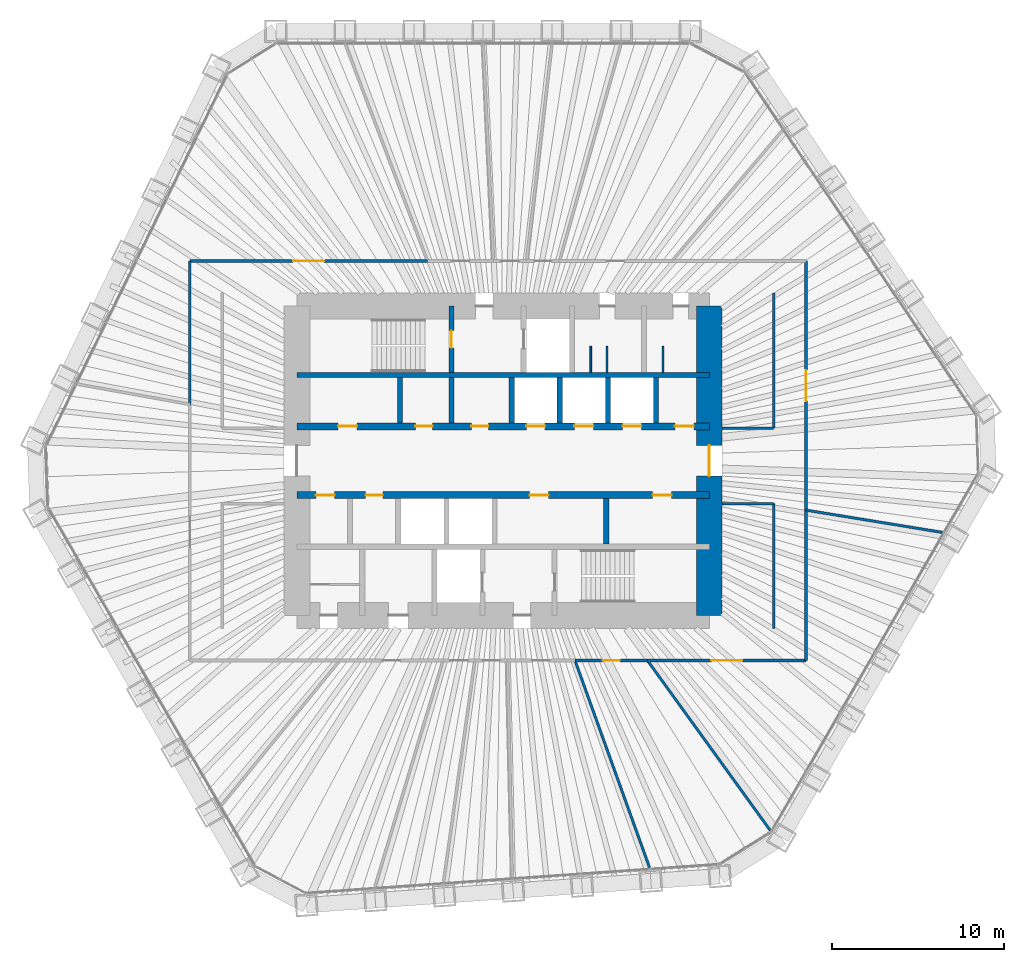
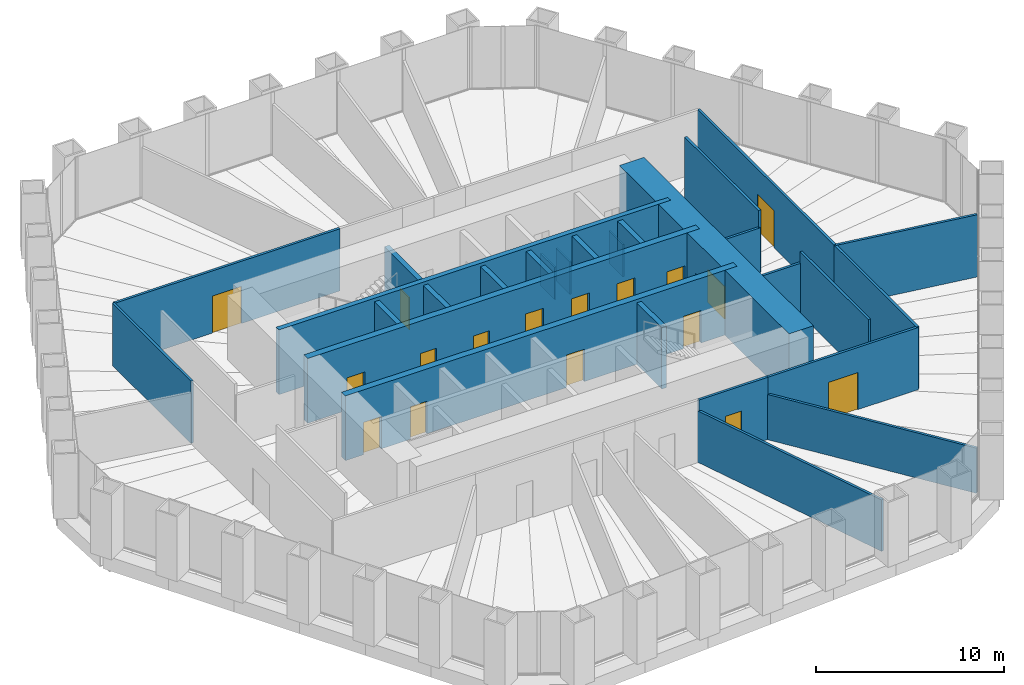
# One storey, part 11 of 13: 28 walls, 17 doors, 17 openings.
"""IFC4 building model written with IfcOpenShell, lengths in metres."""

from ifc_helpers import new_model, si_unit, direction, frame, frame_2d, origin, place, context, subcontext, project, spatial, rectangle, extrude, material, layer, layer_set, type_object, element, fill, save


model = new_model("IFC4")

# Units and contexts
model_context = context("Model", 3, precision=1e-05, world=origin(), true_north=direction((0.0, 1.0)))
body_context = subcontext(model_context, "Body", "Model", "MODEL_VIEW")
ifc_project = project(units=[si_unit("LENGTHUNIT", "METRE"), si_unit("AREAUNIT", "SQUARE_METRE"), si_unit("VOLUMEUNIT", "CUBIC_METRE"), si_unit("PLANEANGLEUNIT", "RADIAN"), si_unit("MASSUNIT", "GRAM", prefix="KILO")], contexts=[model_context])

# Site, building, storey
site_placement = place(None, origin())
site = spatial("IfcSite", under=ifc_project, at=site_placement, CompositionType="ELEMENT")
building_placement = place(site_placement, origin())
building = spatial("IfcBuilding", under=site, at=building_placement, Name="Qingtian Harvest Tower", CompositionType="ELEMENT")
storey_placement = place(building_placement, frame((0.0, 0.0, 111.39990234375)))
storey = spatial("IfcBuildingStorey", under=building, at=storey_placement, Name="L22", CompositionType="ELEMENT", Elevation=111.39990234375)

# Wall
ifc_material_1 = material(Name="Concrete fc' 70 MPa", Category="concrete")
ifc_layer_1 = layer(ifc_material_1, 0.300048828125)
ifc_layer_set_1 = layer_set([ifc_layer_1], Name="Core inner wall RC5 300")
wall_type_1 = type_object("IfcWallType", Name="Core inner wall RC5 300", PredefinedType="SHEAR", material=ifc_layer_set_1)
wall_1_placement = place(storey_placement, frame((-12.0, 5.0, 0.0), z_axis=(0.0, 0.0, 1.0), x_axis=(1.0, 0.0, 0.0)))
element("IfcWall", 1, at=wall_1_placement, inside=storey, type_object=wall_type_1, Name="Core wall IN5 L22", PredefinedType="SHEAR", context=body_context, shape_type="SweptSolid", body=[
    extrude(rectangle(XDim=24.0, YDim=0.300048828125, at=frame_2d((12.0, 0.0))), origin(), (0.0, 0.0, 1.0), 4.2001953125),
])

# Wall, openings, doors
ifc_material_2 = material(Name="Concrete fc' 70 MPa", Category="concrete")
ifc_layer_2 = layer(ifc_material_2, 0.39990234375)
ifc_layer_set_2 = layer_set([ifc_layer_2], Name="Core inner web RC6 400")
wall_type_2 = type_object("IfcWallType", Name="Core inner web RC6 400", PredefinedType="SHEAR", material=ifc_layer_set_2)
wall_2_placement = place(storey_placement, frame((-12.0, 2.0, 0.0), z_axis=(0.0, 0.0, 1.0), x_axis=(1.0, 0.0, 0.0)))
wall_2 = element("IfcWall", 2, at=wall_2_placement, inside=storey, type_object=wall_type_2, Name="Core wall IN2 L22", PredefinedType="SHEAR", context=body_context, shape_type="SweptSolid", body=[
    extrude(rectangle(XDim=24.0, YDim=0.39990234375, at=frame_2d((12.0, 0.0))), origin(), (0.0, 0.0, 1.0), 4.2001953125),
])
opening_1_placement = place(wall_2_placement, frame((2.39990234375, 0.0, 0.0)))
opening_1 = element("IfcOpeningElement", 3, at=opening_1_placement, cuts=wall_2, Name="Opening FD4", PredefinedType="OPENING", context=body_context, shape_type="SweptSolid", body=[
    extrude(rectangle(XDim=1.10009765625, YDim=2.10009765625, at=frame_2d((0.550048828125, 1.050048828125))), frame((0.0, 0.2099609375, 0.0), z_axis=(0.0, -1.0, 0.0), x_axis=(1.0, 0.0, 0.0)), (0.0, 0.0, 1.0), 0.419921875),
])
opening_2_placement = place(wall_2_placement, frame((22.0, 0.0, 0.0)))
opening_2 = element("IfcOpeningElement", 4, at=opening_2_placement, cuts=wall_2, Name="Opening FD4", PredefinedType="OPENING", context=body_context, shape_type="SweptSolid", body=[
    extrude(rectangle(XDim=1.10009765625, YDim=2.10009765625, at=frame_2d((0.550048828125, 1.050048828125))), frame((0.0, 0.2099609375, 0.0), z_axis=(0.0, -1.0, 0.0), x_axis=(1.0, 0.0, 0.0)), (0.0, 0.0, 1.0), 0.419921875),
])
opening_3_placement = place(wall_2_placement, frame((10.14990234375, 0.0, 0.0)))
opening_3 = element("IfcOpeningElement", 5, at=opening_3_placement, cuts=wall_2, Name="Opening FD1", PredefinedType="OPENING", context=body_context, shape_type="SweptSolid", body=[
    extrude(rectangle(XDim=1.0, YDim=2.10009765625, at=frame_2d((0.5, 1.050048828125))), frame((0.0, 0.2099609375, 0.0), z_axis=(0.0, -1.0, 0.0), x_axis=(1.0, 0.0, 0.0)), (0.0, 0.0, 1.0), 0.419921875),
])
opening_4_placement = place(wall_2_placement, frame((6.89990234375, 0.0, 0.0)))
opening_4 = element("IfcOpeningElement", 6, at=opening_4_placement, cuts=wall_2, Name="Opening FD1", PredefinedType="OPENING", context=body_context, shape_type="SweptSolid", body=[
    extrude(rectangle(XDim=1.0, YDim=2.10009765625, at=frame_2d((0.5, 1.050048828125))), frame((0.0, 0.2099609375, 0.0), z_axis=(0.0, -1.0, 0.0), x_axis=(1.0, 0.0, 0.0)), (0.0, 0.0, 1.0), 0.419921875),
])
opening_5_placement = place(wall_2_placement, frame((13.35009765625, 0.0, 0.0)))
opening_5 = element("IfcOpeningElement", 7, at=opening_5_placement, cuts=wall_2, Name="Opening LD1", PredefinedType="OPENING", context=body_context, shape_type="SweptSolid", body=[
    extrude(rectangle(XDim=1.10009765625, YDim=2.39990234375, at=frame_2d((0.550048828125, 1.199951171875))), frame((0.0, 0.2099609375, 0.0), z_axis=(0.0, -1.0, 0.0), x_axis=(1.0, 0.0, 0.0)), (0.0, 0.0, 1.0), 0.419921875),
])
opening_6_placement = place(wall_2_placement, frame((16.14990234375, 0.0, 0.0)))
opening_6 = element("IfcOpeningElement", 8, at=opening_6_placement, cuts=wall_2, Name="Opening LD1", PredefinedType="OPENING", context=body_context, shape_type="SweptSolid", body=[
    extrude(rectangle(XDim=1.10009765625, YDim=2.39990234375, at=frame_2d((0.550048828125, 1.199951171875))), frame((0.0, 0.2099609375, 0.0), z_axis=(0.0, -1.0, 0.0), x_axis=(1.0, 0.0, 0.0)), (0.0, 0.0, 1.0), 0.419921875),
])
opening_7_placement = place(wall_2_placement, frame((18.949951171875, 0.0, 0.0)))
opening_7 = element("IfcOpeningElement", 9, at=opening_7_placement, cuts=wall_2, Name="Opening LD1", PredefinedType="OPENING", context=body_context, shape_type="SweptSolid", body=[
    extrude(rectangle(XDim=1.10009765625, YDim=2.39990234375, at=frame_2d((0.550048828125, 1.199951171875))), frame((0.0, 0.2099609375, 0.0), z_axis=(0.0, -1.0, 0.0), x_axis=(1.0, 0.0, 0.0)), (0.0, 0.0, 1.0), 0.419921875),
])
ifc_material_3 = material(Name="Steel-faced door leaf", Category="steel")
door_type_1 = type_object("IfcDoorType", Name="Fire door FD1 single 1 HR", OperationType="SINGLE_SWING_LEFT", PredefinedType="DOOR", material=ifc_material_3)
door_1_placement = place(opening_3_placement, origin())
door_1 = element("IfcDoor", 10, at=door_1_placement, inside=storey, type_object=door_type_1, Name="STA door L22", OperationType="SINGLE_SWING_LEFT", OverallHeight=2.10009765625, OverallWidth=1.0, PredefinedType="DOOR", context=body_context, shape_type="SweptSolid", body=[
    extrude(rectangle(XDim=1.0, YDim=2.10009765625, at=frame_2d((0.5, 1.050048828125))), frame((0.0, 0.02490234375, 0.0), z_axis=(0.0, -1.0, 0.0), x_axis=(1.0, 0.0, 0.0)), (0.0, 0.0, 1.0), 0.050048828125),
])
fill(opening_3, door_1)
door_2_placement = place(opening_4_placement, origin())
door_2 = element("IfcDoor", 11, at=door_2_placement, inside=storey, type_object=door_type_1, Name="Store door L22", OperationType="SINGLE_SWING_LEFT", OverallHeight=2.10009765625, OverallWidth=1.0, PredefinedType="DOOR", context=body_context, shape_type="SweptSolid", body=[
    extrude(rectangle(XDim=1.0, YDim=2.10009765625, at=frame_2d((0.5, 1.050048828125))), frame((0.0, 0.02490234375, 0.0), z_axis=(0.0, -1.0, 0.0), x_axis=(1.0, 0.0, 0.0)), (0.0, 0.0, 1.0), 0.050048828125),
])
fill(opening_4, door_2)
ifc_material_4 = material(Name="Steel-faced door leaf", Category="steel")
door_type_2 = type_object("IfcDoorType", Name="Fire door FD4 single 2 HR", OperationType="SINGLE_SWING_LEFT", PredefinedType="DOOR", material=ifc_material_4)
door_3_placement = place(opening_1_placement, origin())
door_3 = element("IfcDoor", 12, at=door_3_placement, inside=storey, type_object=door_type_2, Name="RA door L22", OperationType="SINGLE_SWING_RIGHT", OverallHeight=2.10009765625, OverallWidth=1.10009765625, PredefinedType="DOOR", context=body_context, shape_type="SweptSolid", body=[
    extrude(rectangle(XDim=1.10009765625, YDim=2.10009765625, at=frame_2d((0.550048828125, 1.050048828125))), frame((0.0, 0.02490234375, 0.0), z_axis=(0.0, -1.0, 0.0), x_axis=(1.0, 0.0, 0.0)), (0.0, 0.0, 1.0), 0.050048828125),
])
fill(opening_1, door_3)
door_4_placement = place(opening_2_placement, origin())
door_4 = element("IfcDoor", 13, at=door_4_placement, inside=storey, type_object=door_type_2, Name="AHU door L22", OperationType="SINGLE_SWING_RIGHT", OverallHeight=2.10009765625, OverallWidth=1.10009765625, PredefinedType="DOOR", context=body_context, shape_type="SweptSolid", body=[
    extrude(rectangle(XDim=1.10009765625, YDim=2.10009765625, at=frame_2d((0.550048828125, 1.050048828125))), frame((0.0, 0.02490234375, 0.0), z_axis=(0.0, -1.0, 0.0), x_axis=(1.0, 0.0, 0.0)), (0.0, 0.0, 1.0), 0.050048828125),
])
fill(opening_2, door_4)
ifc_material_5 = material(Name="Stainless steel lift landing door", Category="steel")
door_type_3 = type_object("IfcDoorType", Name="Lift landing door LD1 1 HR", OperationType="DOUBLE_DOOR_SLIDING", PredefinedType="DOOR", material=ifc_material_5)
door_5_placement = place(opening_5_placement, origin())
door_5 = element("IfcDoor", 14, at=door_5_placement, inside=storey, type_object=door_type_3, Name="PLB1 landing door L22", OperationType="DOUBLE_DOOR_SLIDING", OverallHeight=2.39990234375, OverallWidth=1.10009765625, PredefinedType="DOOR", context=body_context, shape_type="SweptSolid", body=[
    extrude(rectangle(XDim=1.10009765625, YDim=2.39990234375, at=frame_2d((0.550048828125, 1.199951171875))), frame((0.0, 0.02490234375, 0.0), z_axis=(0.0, -1.0, 0.0), x_axis=(1.0, 0.0, 0.0)), (0.0, 0.0, 1.0), 0.050048828125),
])
fill(opening_5, door_5)
door_6_placement = place(opening_6_placement, origin())
door_6 = element("IfcDoor", 15, at=door_6_placement, inside=storey, type_object=door_type_3, Name="PLB2 landing door L22", OperationType="DOUBLE_DOOR_SLIDING", OverallHeight=2.39990234375, OverallWidth=1.10009765625, PredefinedType="DOOR", context=body_context, shape_type="SweptSolid", body=[
    extrude(rectangle(XDim=1.10009765625, YDim=2.39990234375, at=frame_2d((0.550048828125, 1.199951171875))), frame((0.0, 0.02490234375, 0.0), z_axis=(0.0, -1.0, 0.0), x_axis=(1.0, 0.0, 0.0)), (0.0, 0.0, 1.0), 0.050048828125),
])
fill(opening_6, door_6)
door_7_placement = place(opening_7_placement, origin())
door_7 = element("IfcDoor", 16, at=door_7_placement, inside=storey, type_object=door_type_3, Name="PLB3 landing door L22", OperationType="DOUBLE_DOOR_SLIDING", OverallHeight=2.39990234375, OverallWidth=1.10009765625, PredefinedType="DOOR", context=body_context, shape_type="SweptSolid", body=[
    extrude(rectangle(XDim=1.10009765625, YDim=2.39990234375, at=frame_2d((0.550048828125, 1.199951171875))), frame((0.0, 0.02490234375, 0.0), z_axis=(0.0, -1.0, 0.0), x_axis=(1.0, 0.0, 0.0)), (0.0, 0.0, 1.0), 0.050048828125),
])
fill(opening_7, door_7)

wall_3_placement = place(storey_placement, frame((-12.0, -2.0, 0.0), z_axis=(0.0, 0.0, 1.0), x_axis=(1.0, 0.0, 0.0)))
wall_3 = element("IfcWall", 17, at=wall_3_placement, inside=storey, type_object=wall_type_2, Name="Core wall IS2 L22", PredefinedType="SHEAR", context=body_context, shape_type="SweptSolid", body=[
    extrude(rectangle(XDim=24.0, YDim=0.39990234375, at=frame_2d((12.0, 0.0))), origin(), (0.0, 0.0, 1.0), 4.2001953125),
])
opening_8_placement = place(wall_3_placement, frame((1.10009765625, 0.0, 0.0)))
opening_8 = element("IfcOpeningElement", 18, at=opening_8_placement, cuts=wall_3, Name="Opening FD4", PredefinedType="OPENING", context=body_context, shape_type="SweptSolid", body=[
    extrude(rectangle(XDim=1.10009765625, YDim=2.10009765625, at=frame_2d((0.550048828125, 1.050048828125))), frame((0.0, 0.2099609375, 0.0), z_axis=(0.0, -1.0, 0.0), x_axis=(1.0, 0.0, 0.0)), (0.0, 0.0, 1.0), 0.419921875),
])
opening_9_placement = place(wall_3_placement, frame((13.550048828125, 0.0, 0.0)))
opening_9 = element("IfcOpeningElement", 19, at=opening_9_placement, cuts=wall_3, Name="Opening FD4", PredefinedType="OPENING", context=body_context, shape_type="SweptSolid", body=[
    extrude(rectangle(XDim=1.10009765625, YDim=2.10009765625, at=frame_2d((0.550048828125, 1.050048828125))), frame((0.0, 0.2099609375, 0.0), z_axis=(0.0, -1.0, 0.0), x_axis=(1.0, 0.0, 0.0)), (0.0, 0.0, 1.0), 0.419921875),
])
opening_10_placement = place(wall_3_placement, frame((20.699951171875, 0.0, 0.0)))
opening_10 = element("IfcOpeningElement", 20, at=opening_10_placement, cuts=wall_3, Name="Opening FD4", PredefinedType="OPENING", context=body_context, shape_type="SweptSolid", body=[
    extrude(rectangle(XDim=1.10009765625, YDim=2.10009765625, at=frame_2d((0.550048828125, 1.050048828125))), frame((0.0, 0.2099609375, 0.0), z_axis=(0.0, -1.0, 0.0), x_axis=(1.0, 0.0, 0.0)), (0.0, 0.0, 1.0), 0.419921875),
])
opening_11_placement = place(wall_3_placement, frame((4.0, 0.0, 0.0)))
opening_11 = element("IfcOpeningElement", 21, at=opening_11_placement, cuts=wall_3, Name="Opening FD1", PredefinedType="OPENING", context=body_context, shape_type="SweptSolid", body=[
    extrude(rectangle(XDim=1.0, YDim=2.10009765625, at=frame_2d((0.5, 1.050048828125))), frame((0.0, 0.2099609375, 0.0), z_axis=(0.0, -1.0, 0.0), x_axis=(1.0, 0.0, 0.0)), (0.0, 0.0, 1.0), 0.419921875),
])
door_8_placement = place(opening_11_placement, origin())
door_8 = element("IfcDoor", 22, at=door_8_placement, inside=storey, type_object=door_type_1, Name="Archive store door L22", OperationType="SINGLE_SWING_LEFT", OverallHeight=2.10009765625, OverallWidth=1.0, PredefinedType="DOOR", context=body_context, shape_type="SweptSolid", body=[
    extrude(rectangle(XDim=1.0, YDim=2.10009765625, at=frame_2d((0.5, 1.050048828125))), frame((0.0, 0.02490234375, 0.0), z_axis=(0.0, -1.0, 0.0), x_axis=(1.0, 0.0, 0.0)), (0.0, 0.0, 1.0), 0.050048828125),
])
fill(opening_11, door_8)
door_9_placement = place(opening_8_placement, origin())
door_9 = element("IfcDoor", 23, at=door_9_placement, inside=storey, type_object=door_type_2, Name="RB door L22", OperationType="SINGLE_SWING_RIGHT", OverallHeight=2.10009765625, OverallWidth=1.10009765625, PredefinedType="DOOR", context=body_context, shape_type="SweptSolid", body=[
    extrude(rectangle(XDim=1.10009765625, YDim=2.10009765625, at=frame_2d((0.550048828125, 1.050048828125))), frame((0.0, 0.02490234375, 0.0), z_axis=(0.0, -1.0, 0.0), x_axis=(1.0, 0.0, 0.0)), (0.0, 0.0, 1.0), 0.050048828125),
])
fill(opening_8, door_9)
door_10_placement = place(opening_9_placement, origin())
door_10 = element("IfcDoor", 24, at=door_10_placement, inside=storey, type_object=door_type_2, Name="ELEC door L22", OperationType="SINGLE_SWING_RIGHT", OverallHeight=2.10009765625, OverallWidth=1.10009765625, PredefinedType="DOOR", context=body_context, shape_type="SweptSolid", body=[
    extrude(rectangle(XDim=1.10009765625, YDim=2.10009765625, at=frame_2d((0.550048828125, 1.050048828125))), frame((0.0, 0.02490234375, 0.0), z_axis=(0.0, -1.0, 0.0), x_axis=(1.0, 0.0, 0.0)), (0.0, 0.0, 1.0), 0.050048828125),
])
fill(opening_9, door_10)
door_11_placement = place(opening_10_placement, origin())
door_11 = element("IfcDoor", 25, at=door_11_placement, inside=storey, type_object=door_type_2, Name="DUCT door L22", OperationType="SINGLE_SWING_LEFT", OverallHeight=2.10009765625, OverallWidth=1.10009765625, PredefinedType="DOOR", context=body_context, shape_type="SweptSolid", body=[
    extrude(rectangle(XDim=1.10009765625, YDim=2.10009765625, at=frame_2d((0.550048828125, 1.050048828125))), frame((0.0, 0.02490234375, 0.0), z_axis=(0.0, -1.0, 0.0), x_axis=(1.0, 0.0, 0.0)), (0.0, 0.0, 1.0), 0.050048828125),
])
fill(opening_10, door_11)

# Wall, opening, door
ifc_material_6 = material(Name="Precast concrete shaft panel", Category="concrete")
ifc_layer_3 = layer(ifc_material_6, 0.300048828125)
ifc_layer_set_3 = layer_set([ifc_layer_3], Name="Core shaft partition SW1 300")
wall_type_3 = type_object("IfcWallType", Name="Core shaft partition SW1 300", PredefinedType="PARTITIONING", material=ifc_layer_set_3)
wall_4_placement = place(storey_placement, frame((-3.0, 5.14990234375, 0.0), z_axis=(0.0, 0.0, 1.0), x_axis=(0.0, 1.0, 0.0)))
wall_4 = element("IfcWall", 26, at=wall_4_placement, inside=storey, type_object=wall_type_3, Name="Core shaft partition XN1 L22", PredefinedType="PARTITIONING", context=body_context, shape_type="SweptSolid", body=[
    extrude(rectangle(XDim=3.85009765625, YDim=0.300048828125, at=frame_2d((1.925048828125, 0.0))), origin(), (0.0, 0.0, 1.0), 3.97998046875),
])
opening_12_placement = place(wall_4_placement, frame((1.425048828125, 0.0, 0.0)))
opening_12 = element("IfcOpeningElement", 27, at=opening_12_placement, cuts=wall_4, Name="Opening FD1", PredefinedType="OPENING", context=body_context, shape_type="SweptSolid", body=[
    extrude(rectangle(XDim=1.0, YDim=2.10009765625, at=frame_2d((0.5, 1.050048828125))), frame((0.0, 0.159912109375, 0.0), z_axis=(0.0, -1.0, 0.0), x_axis=(1.0, 0.0, 0.0)), (0.0, 0.0, 1.0), 0.320068359375),
])
door_12_placement = place(opening_12_placement, origin())
door_12 = element("IfcDoor", 28, at=door_12_placement, inside=storey, type_object=door_type_1, Name="S1 door L22", OperationType="SINGLE_SWING_LEFT", OverallHeight=2.10009765625, OverallWidth=1.0, PredefinedType="DOOR", context=body_context, shape_type="SweptSolid", body=[
    extrude(rectangle(XDim=1.0, YDim=2.10009765625, at=frame_2d((0.5, 1.050048828125))), frame((0.0, 0.02490234375, 0.0), z_axis=(0.0, -1.0, 0.0), x_axis=(1.0, 0.0, 0.0)), (0.0, 0.0, 1.0), 0.050048828125),
])
fill(opening_12, door_12)

# Walls
for number, where, z_axis, x_axis, name in (
    (29, (-6.0, 2.199951171875, 0.0), (0.0, 0.0, 1.0), (0.0, 1.0, 0.0), "Core shaft partition XA1 L22"),
    (30, (-3.0, 2.199951171875, 0.0), (0.0, 0.0, 1.0), (0.0, 1.0, 0.0), "Core shaft partition XA2 L22"),
    (31, (0.5, 2.199951171875, 0.0), (0.0, 0.0, 1.0), (0.0, 1.0, 0.0), "Core shaft partition XA3 L22"),
    (32, (3.300048828125, 2.199951171875, 0.0), (0.0, 0.0, 1.0), (0.0, 1.0, 0.0), "Core shaft partition XA4 L22"),
    (33, (6.10009765625, 2.199951171875, 0.0), (0.0, 0.0, 1.0), (0.0, 1.0, 0.0), "Core shaft partition XA5 L22"),
    (34, (8.89990234375, 2.199951171875, 0.0), (0.0, 0.0, 1.0), (0.0, 1.0, 0.0), "Core shaft partition XA6 L22"),
    (35, (6.0, -4.85009765625, 0.0), (0.0, 0.0, 1.0), (0.0, 1.0, 0.0), "Core shaft partition XB5 L22"),
):
    element("IfcWall", number, at=place(storey_placement, frame(where, z_axis=z_axis, x_axis=x_axis)), inside=storey, type_object=wall_type_3, Name=name, PredefinedType="PARTITIONING", context=body_context, shape_type="SweptSolid", body=[
        extrude(rectangle(XDim=2.650146484375, YDim=0.300048828125, at=frame_2d((1.3251953125, 0.0))), origin(), (0.0, 0.0, 1.0), 3.97998046875),
    ])

# Wall, opening, door
ifc_material_7 = material(Name="Concrete fc' 70 MPa", Category="concrete")
ifc_layer_4 = layer(ifc_material_7, 1.5)
ifc_layer_set_4 = layer_set([ifc_layer_4], Name="Core wall RC1 1500")
wall_type_4 = type_object("IfcWallType", Name="Core wall RC1 1500", PredefinedType="SHEAR", material=ifc_layer_set_4)
wall_5_placement = place(storey_placement, frame((12.0, -9.0, 0.0), z_axis=(0.0, 0.0, 1.0), x_axis=(0.0, 1.0, 0.0)))
wall_5 = element("IfcWall", 36, at=wall_5_placement, inside=storey, type_object=wall_type_4, Name="Core wall CE L22", PredefinedType="SHEAR", context=body_context, shape_type="SweptSolid", body=[
    extrude(rectangle(XDim=18.0, YDim=1.5, at=frame_2d((9.0, 0.0))), origin(), (0.0, 0.0, 1.0), 4.2001953125),
])
opening_13_placement = place(wall_5_placement, frame((8.10009765625, 0.0, 0.0)))
opening_13 = element("IfcOpeningElement", 37, at=opening_13_placement, cuts=wall_5, Name="Opening FD2", PredefinedType="OPENING", context=body_context, shape_type="SweptSolid", body=[
    extrude(rectangle(XDim=1.800048828125, YDim=2.10009765625, at=frame_2d((0.89990234375, 1.050048828125))), frame((0.0, 0.760009765625, 0.0), z_axis=(0.0, -1.0, 0.0), x_axis=(1.0, 0.0, 0.0)), (0.0, 0.0, 1.0), 1.52001953125),
])
ifc_material_8 = material(Name="Steel-faced door leaf", Category="steel")
door_type_4 = type_object("IfcDoorType", Name="Fire door FD2 double 1 HR", OperationType="DOUBLE_DOOR_DOUBLE_SWING", PredefinedType="DOOR", material=ifc_material_8)
door_13_placement = place(opening_13_placement, origin())
door_13 = element("IfcDoor", 38, at=door_13_placement, inside=storey, type_object=door_type_4, Name="LOBBY-E door L22", OperationType="DOUBLE_DOOR_DOUBLE_SWING", OverallHeight=2.10009765625, OverallWidth=1.800048828125, PredefinedType="DOOR", context=body_context, shape_type="SweptSolid", body=[
    extrude(rectangle(XDim=1.800048828125, YDim=2.10009765625, at=frame_2d((0.89990234375, 1.050048828125))), frame((0.0, 0.02490234375, 0.0), z_axis=(0.0, -1.0, 0.0), x_axis=(1.0, 0.0, 0.0)), (0.0, 0.0, 1.0), 0.050048828125),
])
fill(opening_13, door_13)

# Wall
ifc_material_9 = material(Name="Gypsum board on steel studs", Category="steel")
ifc_layer_5 = layer(ifc_material_9, 0.14990234375)
ifc_layer_set_5 = layer_set([ifc_layer_5], Name="Partition PT1 150")
wall_type_5 = type_object("IfcWallType", Name="Partition PT1 150", PredefinedType="PARTITIONING", material=ifc_layer_set_5)
wall_6_placement = place(storey_placement, frame((-18.22509765625, 3.281005859375, 0.0), z_axis=(0.0, 0.0, 1.0), x_axis=(0.0, 1.0, 0.0)))
element("IfcWall", 39, at=wall_6_placement, inside=storey, type_object=wall_type_5, Name="Office suite wall L22", PredefinedType="PARTITIONING", context=body_context, shape_type="SweptSolid", body=[
    extrude(rectangle(XDim=8.343994140625, YDim=0.14990234375, at=frame_2d((4.171875, 0.0))), origin(), (0.0, 0.0, 1.0), 4.030029296875),
])

# Wall, opening, door
wall_7_placement = place(storey_placement, frame((-18.22509765625, 11.625, 0.0), z_axis=(0.0, 0.0, 1.0), x_axis=(1.0, 0.0, 0.0)))
wall_7 = element("IfcWall", 40, at=wall_7_placement, inside=storey, type_object=wall_type_5, Name="Office suite wall L22", PredefinedType="PARTITIONING", context=body_context, shape_type="SweptSolid", body=[
    extrude(rectangle(XDim=13.822509765625, YDim=0.14990234375, at=frame_2d((6.9111328125, 0.0))), origin(), (0.0, 0.0, 1.0), 4.030029296875),
])
opening_14_placement = place(wall_7_placement, frame((6.01123046875, 0.0, 0.0)))
opening_14 = element("IfcOpeningElement", 41, at=opening_14_placement, cuts=wall_7, Name="Opening D3", PredefinedType="OPENING", context=body_context, shape_type="SweptSolid", body=[
    extrude(rectangle(XDim=1.800048828125, YDim=2.39990234375, at=frame_2d((0.89990234375, 1.199951171875))), frame((0.0, 0.0849609375, 0.0), z_axis=(0.0, -1.0, 0.0), x_axis=(1.0, 0.0, 0.0)), (0.0, 0.0, 1.0), 0.169921875),
])
ifc_material_10 = material(Name="Laminated timber door leaf", Category="wood")
door_type_5 = type_object("IfcDoorType", Name="Room door D3 double", OperationType="DOUBLE_DOOR_DOUBLE_SWING", PredefinedType="DOOR", material=ifc_material_10)
door_14_placement = place(opening_14_placement, origin())
door_14 = element("IfcDoor", 42, at=door_14_placement, inside=storey, type_object=door_type_5, Name="Office suite door L22", OperationType="DOUBLE_DOOR_DOUBLE_SWING", OverallHeight=2.39990234375, OverallWidth=1.800048828125, PredefinedType="DOOR", context=body_context, shape_type="SweptSolid", body=[
    extrude(rectangle(XDim=1.800048828125, YDim=2.39990234375, at=frame_2d((0.89990234375, 1.199951171875))), frame((0.0, 0.02490234375, 0.0), z_axis=(0.0, -1.0, 0.0), x_axis=(1.0, 0.0, 0.0)), (0.0, 0.0, 1.0), 0.050048828125),
])
fill(opening_14, door_14)

wall_8_placement = place(storey_placement, frame((17.625, 11.625, 0.0), z_axis=(0.0, 0.0, 1.0), x_axis=(0.0, -1.0, 0.0)))
wall_8 = element("IfcWall", 43, at=wall_8_placement, inside=storey, type_object=wall_type_5, Name="Office suite wall L22", PredefinedType="PARTITIONING", context=body_context, shape_type="SweptSolid", body=[
    extrude(rectangle(XDim=14.497802734375, YDim=0.14990234375, at=frame_2d((7.2490234375, 0.0))), origin(), (0.0, 0.0, 1.0), 4.030029296875),
])
opening_15_placement = place(wall_8_placement, frame((6.348876953125, 0.0, 0.0)))
opening_15 = element("IfcOpeningElement", 44, at=opening_15_placement, cuts=wall_8, Name="Opening D3", PredefinedType="OPENING", context=body_context, shape_type="SweptSolid", body=[
    extrude(rectangle(XDim=1.800048828125, YDim=2.39990234375, at=frame_2d((0.89990234375, 1.199951171875))), frame((0.0, 0.0849609375, 0.0), z_axis=(0.0, -1.0, 0.0), x_axis=(1.0, 0.0, 0.0)), (0.0, 0.0, 1.0), 0.169921875),
])
door_15_placement = place(opening_15_placement, origin())
door_15 = element("IfcDoor", 45, at=door_15_placement, inside=storey, type_object=door_type_5, Name="Office suite door L22", OperationType="DOUBLE_DOOR_DOUBLE_SWING", OverallHeight=2.39990234375, OverallWidth=1.800048828125, PredefinedType="DOOR", context=body_context, shape_type="SweptSolid", body=[
    extrude(rectangle(XDim=1.800048828125, YDim=2.39990234375, at=frame_2d((0.89990234375, 1.199951171875))), frame((0.0, 0.02490234375, 0.0), z_axis=(0.0, -1.0, 0.0), x_axis=(1.0, 0.0, 0.0)), (0.0, 0.0, 1.0), 0.050048828125),
])
fill(opening_15, door_15)

# Walls
wall_9_placement = place(storey_placement, frame((25.547119140625, -4.1640625, 0.0), z_axis=(0.0, 0.0, 1.0), x_axis=(-0.986975392039, 0.160871301072, 0.0)))
element("IfcWall", 46, at=wall_9_placement, inside=storey, type_object=wall_type_5, Name="Office suite wall L22", PredefinedType="PARTITIONING", context=body_context, shape_type="SweptSolid", body=[
    extrude(rectangle(XDim=8.026611328125, YDim=0.14990234375, at=frame_2d((4.01318359375, 0.0))), origin(), (0.0, 0.0, 1.0), 4.030029296875),
])
wall_10_placement = place(storey_placement, frame((17.625, -2.872802734375, 0.0), z_axis=(0.0, 0.0, 1.0), x_axis=(0.0, -1.0, 0.0)))
element("IfcWall", 47, at=wall_10_placement, inside=storey, type_object=wall_type_5, Name="Office suite wall L22", PredefinedType="PARTITIONING", context=body_context, shape_type="SweptSolid", body=[
    extrude(rectangle(XDim=8.752197265625, YDim=0.14990234375, at=frame_2d((4.3759765625, 0.0))), origin(), (0.0, 0.0, 1.0), 4.030029296875),
])

# Wall, opening, door
wall_11_placement = place(storey_placement, frame((17.625, -11.625, 0.0), z_axis=(0.0, 0.0, 1.0), x_axis=(-1.0, 0.0, 0.0)))
wall_11 = element("IfcWall", 48, at=wall_11_placement, inside=storey, type_object=wall_type_5, Name="Office suite wall L22", PredefinedType="PARTITIONING", context=body_context, shape_type="SweptSolid", body=[
    extrude(rectangle(XDim=9.2236328125, YDim=0.14990234375, at=frame_2d((4.61181640625, 0.0))), origin(), (0.0, 0.0, 1.0), 4.030029296875),
])
opening_16_placement = place(wall_11_placement, frame((3.7119140625, 0.0, 0.0)))
opening_16 = element("IfcOpeningElement", 49, at=opening_16_placement, cuts=wall_11, Name="Opening D3", PredefinedType="OPENING", context=body_context, shape_type="SweptSolid", body=[
    extrude(rectangle(XDim=1.800048828125, YDim=2.39990234375, at=frame_2d((0.89990234375, 1.199951171875))), frame((0.0, 0.0849609375, 0.0), z_axis=(0.0, -1.0, 0.0), x_axis=(1.0, 0.0, 0.0)), (0.0, 0.0, 1.0), 0.169921875),
])
door_16_placement = place(opening_16_placement, origin())
door_16 = element("IfcDoor", 50, at=door_16_placement, inside=storey, type_object=door_type_5, Name="Office suite door L22", OperationType="DOUBLE_DOOR_DOUBLE_SWING", OverallHeight=2.39990234375, OverallWidth=1.800048828125, PredefinedType="DOOR", context=body_context, shape_type="SweptSolid", body=[
    extrude(rectangle(XDim=1.800048828125, YDim=2.39990234375, at=frame_2d((0.89990234375, 1.199951171875))), frame((0.0, 0.02490234375, 0.0), z_axis=(0.0, -1.0, 0.0), x_axis=(1.0, 0.0, 0.0)), (0.0, 0.0, 1.0), 0.050048828125),
])
fill(opening_16, door_16)

# Wall
wall_12_placement = place(storey_placement, frame((15.53955078125, -21.50244140625, 0.0), z_axis=(0.0, 0.0, 1.0), x_axis=(-0.585731902034, 0.810504866697, 0.0)))
element("IfcWall", 51, at=wall_12_placement, inside=storey, type_object=wall_type_5, Name="Focus room wall L22", PredefinedType="PARTITIONING", context=body_context, shape_type="SweptSolid", body=[
    extrude(rectangle(XDim=12.186767578125, YDim=0.14990234375, at=frame_2d((6.09326171875, 0.0))), origin(), (0.0, 0.0, 1.0), 2.93017578125),
])

# Wall, opening, door
wall_13_placement = place(storey_placement, frame((8.4013671875, -11.625, 0.0), z_axis=(0.0, 0.0, 1.0), x_axis=(-1.0, 0.0, 0.0)))
wall_13 = element("IfcWall", 52, at=wall_13_placement, inside=storey, type_object=wall_type_5, Name="Focus room wall L22", PredefinedType="PARTITIONING", context=body_context, shape_type="SweptSolid", body=[
    extrude(rectangle(XDim=4.21728515625, YDim=0.14990234375, at=frame_2d((2.108642578125, 0.0))), origin(), (0.0, 0.0, 1.0), 4.030029296875),
])
opening_17_placement = place(wall_13_placement, frame((1.608642578125, 0.0, 0.0)))
opening_17 = element("IfcOpeningElement", 53, at=opening_17_placement, cuts=wall_13, Name="Opening D2", PredefinedType="OPENING", context=body_context, shape_type="SweptSolid", body=[
    extrude(rectangle(XDim=1.0, YDim=2.39990234375, at=frame_2d((0.5, 1.199951171875))), frame((0.0, 0.0849609375, 0.0), z_axis=(0.0, -1.0, 0.0), x_axis=(1.0, 0.0, 0.0)), (0.0, 0.0, 1.0), 0.169921875),
])
ifc_material_11 = material(Name="Laminated timber door leaf", Category="wood")
door_type_6 = type_object("IfcDoorType", Name="Room door D2 single", OperationType="SINGLE_SWING_LEFT", PredefinedType="DOOR", material=ifc_material_11)
door_17_placement = place(opening_17_placement, origin())
door_17 = element("IfcDoor", 54, at=door_17_placement, inside=storey, type_object=door_type_6, Name="Focus room door L22", OperationType="SINGLE_SWING_LEFT", OverallHeight=2.39990234375, OverallWidth=1.0, PredefinedType="DOOR", context=body_context, shape_type="SweptSolid", body=[
    extrude(rectangle(XDim=1.0, YDim=2.39990234375, at=frame_2d((0.5, 1.199951171875))), frame((0.0, 0.02490234375, 0.0), z_axis=(0.0, -1.0, 0.0), x_axis=(1.0, 0.0, 0.0)), (0.0, 0.0, 1.0), 0.050048828125),
])
fill(opening_17, door_17)

# Walls
wall_14_placement = place(storey_placement, frame((8.51806640625, -23.667236328125, 0.0), z_axis=(0.0, 0.0, 1.0), x_axis=(-0.338635030469, 0.940917805198, 0.0)))
element("IfcWall", 55, at=wall_14_placement, inside=storey, type_object=wall_type_5, Name="Print room wall L22", PredefinedType="PARTITIONING", context=body_context, shape_type="SweptSolid", body=[
    extrude(rectangle(XDim=12.79833984375, YDim=0.14990234375, at=frame_2d((6.399169921875, 0.0))), origin(), (0.0, 0.0, 1.0), 3.330078125),
])
wall_15_placement = place(storey_placement, frame((15.75, 1.89990234375, 0.0), z_axis=(0.0, 0.0, 1.0), x_axis=(0.0, 1.0, 0.0)))
element("IfcWall", 56, at=wall_15_placement, inside=storey, type_object=wall_type_5, Name="Breakout space wall L22", PredefinedType="PARTITIONING", context=body_context, shape_type="SweptSolid", body=[
    extrude(rectangle(XDim=7.85009765625, YDim=0.14990234375, at=frame_2d((3.925048828125, 0.0))), origin(), (0.0, 0.0, 1.0), 4.030029296875),
])
wall_16_placement = place(storey_placement, frame((12.75, 1.89990234375, 0.0), z_axis=(0.0, 0.0, 1.0), x_axis=(1.0, 0.0, 0.0)))
element("IfcWall", 57, at=wall_16_placement, inside=storey, type_object=wall_type_5, Name="Breakout space wall L22", PredefinedType="PARTITIONING", context=body_context, shape_type="SweptSolid", body=[
    extrude(rectangle(XDim=3.0, YDim=0.14990234375, at=frame_2d((1.5, 0.0))), origin(), (0.0, 0.0, 1.0), 2.93017578125),
])
wall_17_placement = place(storey_placement, frame((15.75, -9.75, 0.0), z_axis=(0.0, 0.0, 1.0), x_axis=(0.0, 1.0, 0.0)))
element("IfcWall", 58, at=wall_17_placement, inside=storey, type_object=wall_type_5, Name="Print area wall L22", PredefinedType="PARTITIONING", context=body_context, shape_type="SweptSolid", body=[
    extrude(rectangle(XDim=7.25, YDim=0.14990234375, at=frame_2d((3.625, 0.0))), origin(), (0.0, 0.0, 1.0), 4.030029296875),
])
wall_18_placement = place(storey_placement, frame((12.75, -2.5, 0.0), z_axis=(0.0, 0.0, 1.0), x_axis=(1.0, 0.0, 0.0)))
element("IfcWall", 59, at=wall_18_placement, inside=storey, type_object=wall_type_5, Name="Print area wall L22", PredefinedType="PARTITIONING", context=body_context, shape_type="SweptSolid", body=[
    extrude(rectangle(XDim=3.0, YDim=0.14990234375, at=frame_2d((1.5, 0.0))), origin(), (0.0, 0.0, 1.0), 3.330078125),
])
ifc_material_12 = material(Name="Compact laminate cubicle partition", Category="plastic")
ifc_layer_6 = layer(ifc_material_12, 0.10009765625)
ifc_layer_set_6 = layer_set([ifc_layer_6], Name="WC cubicle partition WP1 100")
wall_type_6 = type_object("IfcWallType", Name="WC cubicle partition WP1 100", PredefinedType="PARTITIONING", material=ifc_layer_set_6)
for number, where, z_axis, x_axis, name in (
    (60, (5.10009765625, 5.14990234375, 0.0), (0.0, 0.0, 1.0), (0.0, 1.0, 0.0), "WC cubicle partition WCM L22"),
    (61, (6.050048828125, 5.14990234375, 0.0), (0.0, 0.0, 1.0), (0.0, 1.0, 0.0), "WC cubicle partition WCM L22"),
    (62, (9.300048828125, 5.14990234375, 0.0), (0.0, 0.0, 1.0), (0.0, 1.0, 0.0), "WC cubicle partition WCF L22"),
):
    element("IfcWall", number, at=place(storey_placement, frame(where, z_axis=z_axis, x_axis=x_axis)), inside=storey, type_object=wall_type_6, Name=name, PredefinedType="PARTITIONING", context=body_context, shape_type="SweptSolid", body=[
        extrude(rectangle(XDim=1.5, YDim=0.10009765625, at=frame_2d((0.75, 0.0))), origin(), (0.0, 0.0, 1.0), 2.10009765625),
    ])

save(model, "model.ifc")
